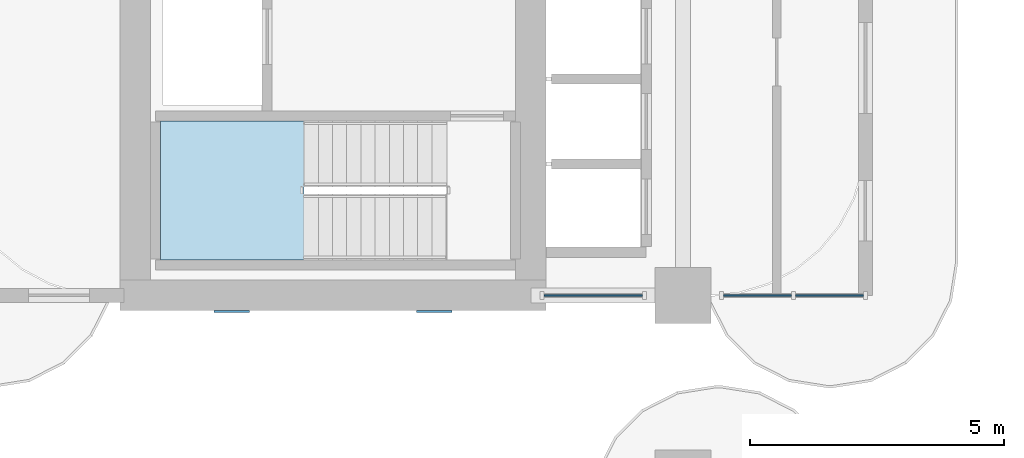
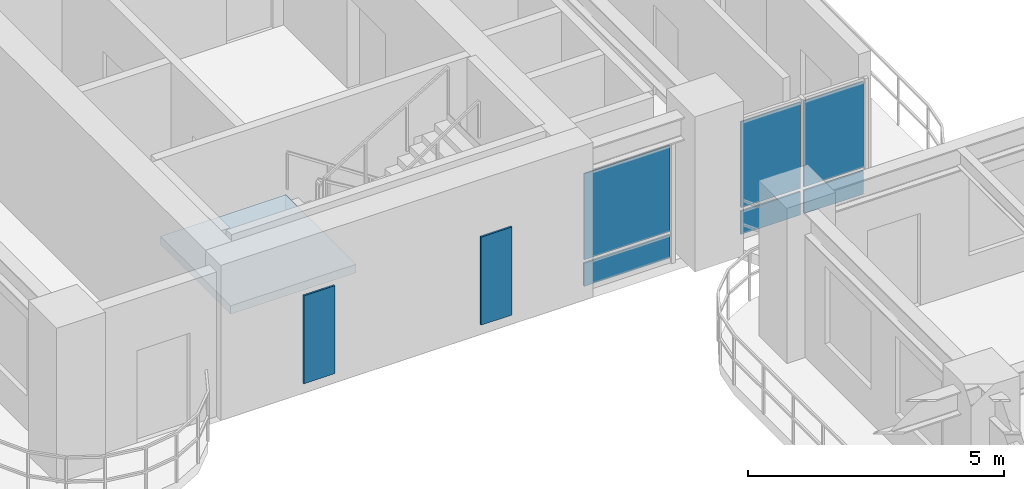
# One storey, part 4 of 18: 8 plates, 1 slab, 3 elements without a shape of their own.
"""IFC4 building model written with IfcOpenShell, lengths in metres."""

from ifc_helpers import new_model, si_unit, derived_unit, direction, frame, origin, origin_2d, place, context, subcontext, project, spatial, polyline, rectangle, outline, extrude, source, transform, mapped, material, layer, layer_set, type_object, type_shapes, element, aggregate, save


model = new_model("IFC4")

# Units and contexts
model_context = context("Model", 3, precision=1e-05, world=origin(), true_north=direction((0.0, 1.0)))
body_context = subcontext(model_context, "Body", "Model", "MODEL_VIEW")
ifc_project = project(units=[si_unit("LENGTHUNIT", "METRE"), si_unit("AREAUNIT", "SQUARE_METRE"), si_unit("VOLUMEUNIT", "CUBIC_METRE"), si_unit("PLANEANGLEUNIT", "RADIAN"), si_unit("MASSUNIT", "GRAM", prefix="KILO"), si_unit("THERMODYNAMICTEMPERATUREUNIT", "KELVIN"), si_unit("POWERUNIT", "WATT"), derived_unit("THERMALTRANSMITTANCEUNIT", [(si_unit("POWERUNIT", "WATT"), 1), (si_unit("AREAUNIT", "SQUARE_METRE"), -1), (si_unit("THERMODYNAMICTEMPERATUREUNIT", "KELVIN"), -1)])], contexts=[model_context])

# Site, building, storey
site_placement = place(None, origin())
site = spatial("IfcSite", under=ifc_project, at=site_placement, CompositionType="ELEMENT")
building_placement = place(site_placement, origin())
building = spatial("IfcBuilding", under=site, at=building_placement, Name="Zahravan Archway Hotel and Residences", CompositionType="ELEMENT")
storey_placement = place(building_placement, frame((0.0, 0.0, 58.300048828125)))
storey = spatial("IfcBuildingStorey", under=building, at=storey_placement, Name="L13", CompositionType="ELEMENT", Elevation=58.300048828125)

# Stair, slab
ifc_material_1 = material(Name="Concrete C50/60", Category="concrete")
stair_type = type_object("IfcStairType", Name="STR-CORE-1300", PredefinedType="HALF_TURN_STAIR", material=ifc_material_1)
stair_placement = place(storey_placement, origin())
stair = element("IfcStair", 1, at=stair_placement, inside=storey, type_object=stair_type, Name="L13 Core B Exit Stair 1", PredefinedType="HALF_TURN_STAIR")
ifc_layer_1 = layer(ifc_material_1, 0.199951171875, Name="Concrete C50/60", Category="concrete")
ifc_layer_set_1 = layer_set([ifc_layer_1], Name="Concrete C50/60")
slab_type = type_object("IfcSlabType", Name="SLB-LND-200", PredefinedType="LANDING", material=ifc_layer_set_1)
slab_placement = place(storey_placement, frame((0.0, 0.0, 1.64990234375)))
slab = element("IfcSlab", 2, at=slab_placement, type_object=slab_type, Name="ST-B1 landing 1", PredefinedType="LANDING", context=body_context, shape_type="SweptSolid", body=[
    extrude(outline(polyline([(6.929931640625, 28.639892578125), (4.10009765625, 28.639892578125), (4.10009765625, 25.89990234375), (6.929931640625, 25.89990234375), (6.929931640625, 28.639892578125)])), origin(), (0.0, 0.0, 1.0), 0.199951171875),
])
aggregate(stair, [slab])

# Plates
ifc_material_2 = material(Name="Perforated Cast Bronze Jali Lattice")
ifc_layer_2 = layer(ifc_material_2, 0.044921875, Name="Perforated Cast Bronze Jali Lattice")
ifc_layer_set_2 = layer_set([ifc_layer_2], Name="Perforated Cast Bronze Jali Lattice")
plate_type_1 = type_object("IfcPlateType", Name="PLT-JALI-BAY", PredefinedType="USERDEFINED", material=ifc_layer_set_2)
shared_shape_1 = source(origin(), body_context, "Body", "SweptSolid", [
    extrude(rectangle(XDim=0.699951171875, YDim=0.044921875, at=origin_2d()), origin(), (0.0, 0.0, 1.0), 2.10009765625),
])
type_shapes(plate_type_1, [shared_shape_1])
for number, where, z_axis, x_axis, name in (
    (3, (5.5, 24.882080078125, 0.25), (0.0, 0.0, 1.0), (1.0, 0.0, 0.0), "L13 Core B South Mughal Jali Screen 1"),
    (4, (9.5, 24.882080078125, 0.25), (0.0, 0.0, 1.0), (1.0, 0.0, 0.0), "L13 Core B South Mughal Jali Screen 2"),
):
    element("IfcPlate", number, at=place(storey_placement, frame(where, z_axis=z_axis, x_axis=x_axis)), inside=storey, type_object=plate_type_1, Name=name, ObjectType="SCREEN", PredefinedType="USERDEFINED", context=body_context, shape_type="MappedRepresentation", body=[
        mapped(shared_shape_1, transform((0.0, 0.0, 0.0), scale=1.0)),
    ])

# Curtain wall, plates
ifc_material_3 = material(Name="Bronze-Anodized Unitised Aluminium & Low-E Glass", Category="aluminium")
ifc_layer_3 = layer(ifc_material_3, 0.179931640625, Name="Bronze-Anodized Unitised Aluminium & Low-E Glass", Category="aluminium")
ifc_layer_set_3 = layer_set([ifc_layer_3], Name="Bronze-Anodized Unitised Aluminium & Low-E Glass")
curtain_wall_type = type_object("IfcCurtainWallType", Name="CW-ATR-GLAZ", PredefinedType="NOTDEFINED", material=ifc_layer_set_3)
curtain_wall_1_placement = place(storey_placement, origin())
curtain_wall_1 = element("IfcCurtainWall", 5, at=curtain_wall_1_placement, inside=storey, type_object=curtain_wall_type, Name="L13 Curtain Wall CW-L13-WB-SE-1", PredefinedType="NOTDEFINED")
ifc_material_4 = material(Name="Insulated Terracotta Spandrel Panel", Category="masonry")
ifc_layer_4 = layer(ifc_material_4, 0.0400390625, Name="Insulated Terracotta Spandrel Panel", Category="masonry")
ifc_layer_set_4 = layer_set([ifc_layer_4], Name="Insulated Terracotta Spandrel Panel")
plate_type_2 = type_object("IfcPlateType", Name="CWP-SPN-40", PredefinedType="SHEET", material=ifc_layer_set_4)
shared_shape_2 = source(origin(), body_context, "Body", "SweptSolid", [
    extrude(rectangle(XDim=1.93994140625, YDim=0.0400390625, at=origin_2d()), origin(), (0.0, 0.0, 1.0), 0.552490234375),
])
plate_1_placement = place(storey_placement, frame((12.6298828125, 25.199951171875, 0.10009765625), z_axis=(0.0, 0.0, 1.0), x_axis=(1.0, 0.0, 0.0)))
plate_1 = element("IfcPlate", 6, at=plate_1_placement, type_object=plate_type_2, Name="CW-L13-WB-SE-1 Spandrel Panel 0", PredefinedType="SHEET", context=body_context, shape_type="MappedRepresentation", body=[
    mapped(shared_shape_2, transform((0.0, 0.0, 0.0), scale=1.0)),
])
ifc_material_5 = material(Name="Double-Silver Low-E Insulated Vision Glass", Category="glass")
ifc_layer_5 = layer(ifc_material_5, 0.028076171875, Name="Double-Silver Low-E Insulated Vision Glass", Category="glass")
ifc_layer_set_5 = layer_set([ifc_layer_5], Name="Double-Silver Low-E Insulated Vision Glass")
plate_type_3 = type_object("IfcPlateType", Name="CWP-GLZ-28", PredefinedType="CURTAIN_PANEL", material=ifc_layer_set_5)
shared_shape_3 = source(origin(), body_context, "Body", "SweptSolid", [
    extrude(rectangle(XDim=1.93994140625, YDim=0.028076171875, at=origin_2d()), origin(), (0.0, 0.0, 1.0), 2.052490234375),
])
plate_2_placement = place(storey_placement, frame((12.6298828125, 25.199951171875, 0.732421875), z_axis=(0.0, 0.0, 1.0), x_axis=(1.0, 0.0, 0.0)))
plate_2 = element("IfcPlate", 7, at=plate_2_placement, type_object=plate_type_3, Name="CW-L13-WB-SE-1 Low-E Vision Panel 0", PredefinedType="CURTAIN_PANEL", context=body_context, shape_type="MappedRepresentation", body=[
    mapped(shared_shape_3, transform((0.0, 0.0, 0.0), scale=1.0)),
])
aggregate(curtain_wall_1, [plate_1, plate_2])

curtain_wall_2_placement = place(storey_placement, origin())
curtain_wall_2 = element("IfcCurtainWall", 8, at=curtain_wall_2_placement, inside=storey, type_object=curtain_wall_type, Name="L13 Curtain Wall CW-L13-WB-SE-2", PredefinedType="NOTDEFINED")
shared_shape_4 = source(origin(), body_context, "Body", "SweptSolid", [
    extrude(rectangle(XDim=1.340087890625, YDim=0.0400390625, at=origin_2d()), origin(), (0.0, 0.0, 1.0), 0.552490234375),
])
plate_3_placement = place(storey_placement, frame((15.8701171875, 25.199951171875, 0.10009765625), z_axis=(0.0, 0.0, 1.0), x_axis=(1.0, 0.0, 0.0)))
plate_3 = element("IfcPlate", 9, at=plate_3_placement, type_object=plate_type_2, Name="CW-L13-WB-SE-2 Spandrel Panel 0", PredefinedType="SHEET", context=body_context, shape_type="MappedRepresentation", body=[
    mapped(shared_shape_4, transform((0.0, 0.0, 0.0), scale=1.0)),
])
plate_4_placement = place(storey_placement, frame((17.2900390625, 25.199951171875, 0.10009765625), z_axis=(0.0, 0.0, 1.0), x_axis=(1.0, 0.0, 0.0)))
plate_4 = element("IfcPlate", 10, at=plate_4_placement, type_object=plate_type_2, Name="CW-L13-WB-SE-2 Spandrel Panel 1", PredefinedType="SHEET", context=body_context, shape_type="MappedRepresentation", body=[
    mapped(shared_shape_4, transform((0.0, 0.0, 0.0), scale=1.0)),
])
shared_shape_5 = source(origin(), body_context, "Body", "SweptSolid", [
    extrude(rectangle(XDim=1.340087890625, YDim=0.028076171875, at=origin_2d()), origin(), (0.0, 0.0, 1.0), 2.052490234375),
])
plate_5_placement = place(storey_placement, frame((15.8701171875, 25.199951171875, 0.732421875), z_axis=(0.0, 0.0, 1.0), x_axis=(1.0, 0.0, 0.0)))
plate_5 = element("IfcPlate", 11, at=plate_5_placement, type_object=plate_type_3, Name="CW-L13-WB-SE-2 Low-E Vision Panel 0", PredefinedType="CURTAIN_PANEL", context=body_context, shape_type="MappedRepresentation", body=[
    mapped(shared_shape_5, transform((0.0, 0.0, 0.0), scale=1.0)),
])
plate_6_placement = place(storey_placement, frame((17.2900390625, 25.199951171875, 0.732421875), z_axis=(0.0, 0.0, 1.0), x_axis=(1.0, 0.0, 0.0)))
plate_6 = element("IfcPlate", 12, at=plate_6_placement, type_object=plate_type_3, Name="CW-L13-WB-SE-2 Low-E Vision Panel 1", PredefinedType="CURTAIN_PANEL", context=body_context, shape_type="MappedRepresentation", body=[
    mapped(shared_shape_5, transform((0.0, 0.0, 0.0), scale=1.0)),
])
aggregate(curtain_wall_2, [plate_3, plate_5, plate_4, plate_6])

save(model, "model.ifc")
